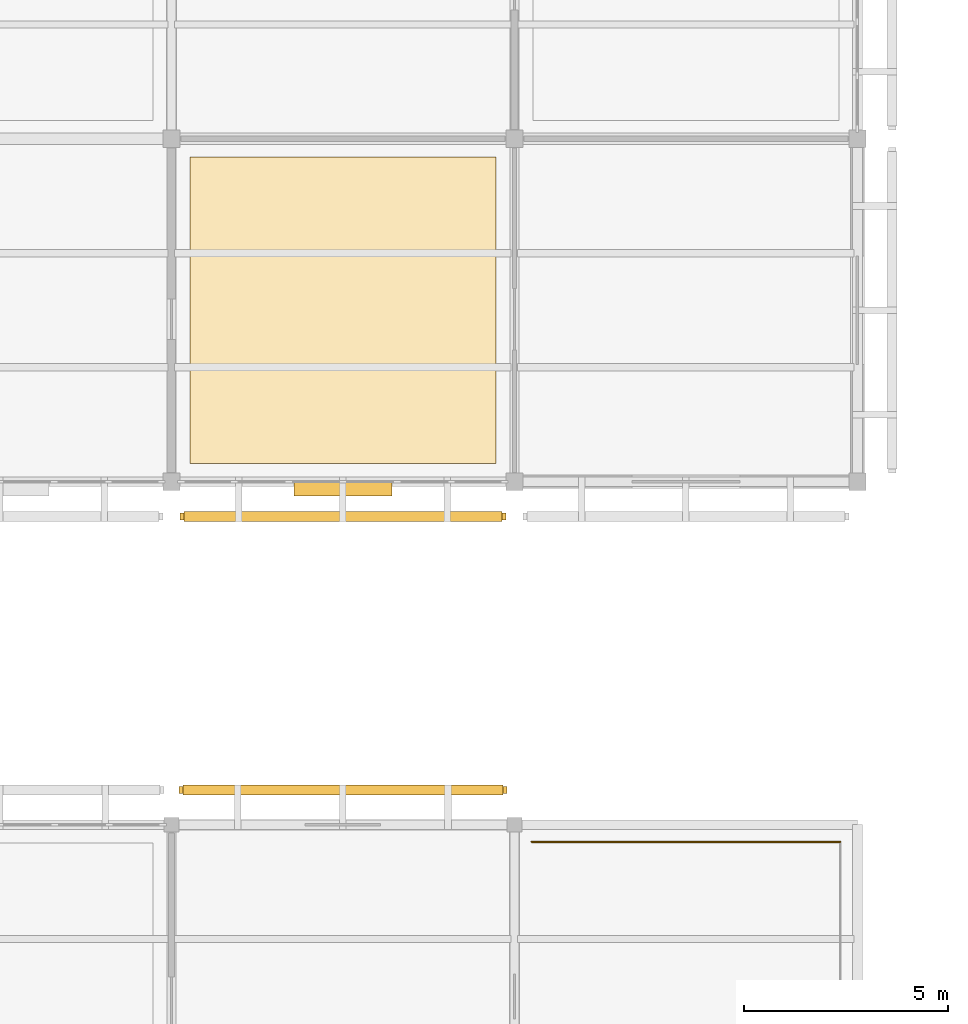
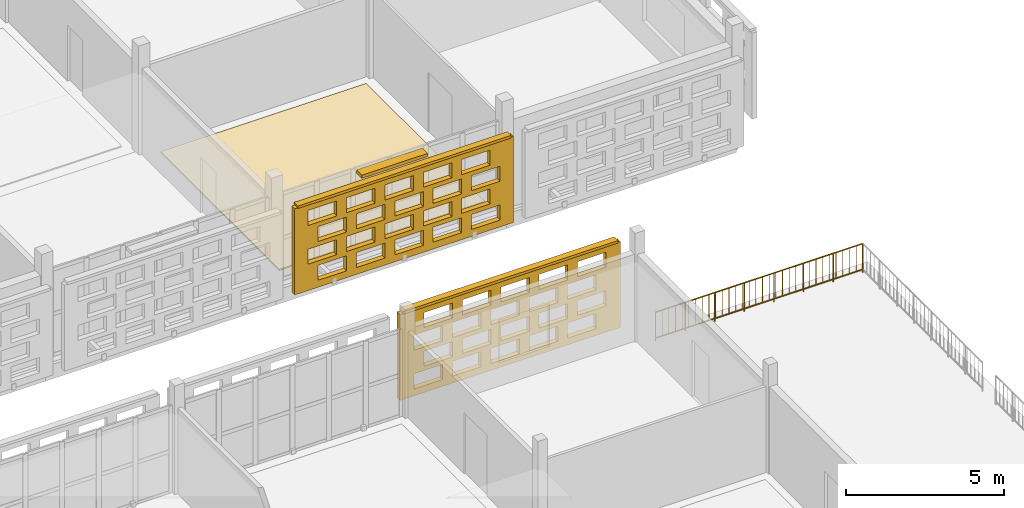
# One storey, part 158 of 166: 3 coverings, 3 shading devices, 1 railing, 40 openings.
"""IFC4 building model written with IfcOpenShell, lengths in metres."""

from ifc_helpers import new_model, si_unit, direction, frame, frame_2d, origin, origin_2d, place, context, subcontext, project, spatial, rectangle, circle, extrude, material, layer, layer_set, type_object, element, save


model = new_model("IFC4")

# Units and contexts
model_context = context("Model", 3, precision=1e-05, world=origin(), true_north=direction((0.0, 1.0)))
body_context = subcontext(model_context, "Body", "Model", "MODEL_VIEW")
ifc_project = project(units=[si_unit("LENGTHUNIT", "METRE"), si_unit("AREAUNIT", "SQUARE_METRE"), si_unit("VOLUMEUNIT", "CUBIC_METRE"), si_unit("PLANEANGLEUNIT", "RADIAN"), si_unit("MASSUNIT", "GRAM", prefix="KILO")], contexts=[model_context])

# Site, building, storey
site_placement = place(None, origin())
site = spatial("IfcSite", under=ifc_project, at=site_placement, CompositionType="ELEMENT")
building_placement = place(site_placement, origin())
building = spatial("IfcBuilding", under=site, at=building_placement, Name="Varnapada Polytechnic", CompositionType="ELEMENT")
storey_placement = place(building_placement, frame((0.0, 0.0, 9.60009765625)))
storey = spatial("IfcBuildingStorey", under=building, at=storey_placement, Name="L02", CompositionType="ELEMENT", Elevation=9.60009765625)

# Covering
ifc_material_1 = material(Name="End-Grain Timber Studio Block Flooring", Category="wood")
ifc_layer_1 = layer(ifc_material_1, 0.054931640625)
ifc_layer_set_1 = layer_set([ifc_layer_1], Name="End-Grain Timber Studio Block Flooring")
covering_type_1 = type_object("IfcCoveringType", Name="Floor Finish FLR-04", PredefinedType="FLOORING", material=ifc_layer_set_1)
covering_1_placement = place(storey_placement, frame((163.800048828125, 63.0, 0.0), z_axis=(0.0, 0.0, 1.0), x_axis=(1.0, 0.0, 0.0)))
element("IfcCovering", 1, at=covering_1_placement, inside=storey, type_object=covering_type_1, Name="L02 floor finish panel (20,8)", PredefinedType="FLOORING", context=body_context, shape_type="SweptSolid", body=[
    extrude(rectangle(XDim=7.5, YDim=7.5, at=origin_2d()), origin(), (0.0, 0.0, 1.0), 0.054931640625),
])

# Shading device
ifc_material_2 = material(Name="Anodised aluminium", Category="aluminium")
ifc_layer_2 = layer(ifc_material_2, 0.35009765625)
ifc_layer_set_2 = layer_set([ifc_layer_2], Name="Anodised aluminium")
shading_device_type_1 = type_object("IfcShadingDeviceType", Name="Solar Louvre LVR-01", PredefinedType="JALOUSIE", material=ifc_layer_set_2)
shading_device_1_placement = place(storey_placement, frame((163.800048828125, 58.6201171875, 3.159912109375), z_axis=(0.0, 0.0, 1.0), x_axis=(-1.0, 0.0, 0.0)))
element("IfcShadingDevice", 2, at=shading_device_1_placement, inside=storey, type_object=shading_device_type_1, Name="L02 aluminium sun louvre 106", PredefinedType="JALOUSIE", context=body_context, shape_type="SweptSolid", body=[
    extrude(rectangle(XDim=2.39990234375, YDim=0.340087890625, at=origin_2d()), origin(), (0.0, 0.0, 1.0), 0.1201171875),
])

# Railing
ifc_material_3 = material(Name="Painted galvanized steel", Category="steel")
railing_type = type_object("IfcRailingType", Name="Terrace Guard Rail GRD-01", PredefinedType="BALUSTRADE", material=ifc_material_3)
railing_placement = place(storey_placement, frame((168.419921875, 49.97998046875, 0.0)))
element("IfcRailing", 3, at=railing_placement, inside=storey, type_object=railing_type, Name="L02 terrace perimeter guard rail 24", PredefinedType="BALUSTRADE", context=body_context, shape_type="SweptSolid", body=[
    extrude(circle(Radius=0.02392578125, at=origin_2d()), frame((0.0, 0.0, 1.09619140625), z_axis=(1.0, 0.0, 0.0), x_axis=(0.0, 1.0, 0.0)), (0.0, 0.0, 1.0), 7.56005859375),
    extrude(circle(Radius=0.02392578125, at=origin_2d()), frame((0.0, 0.0, 0.10009765625), z_axis=(1.0, 0.0, 0.0), x_axis=(0.0, 1.0, 0.0)), (0.0, 0.0, 1.0), 7.56005859375),
    extrude(circle(Radius=0.02099609375, at=origin_2d()), origin(), (0.0, 0.0, 1.0), 1.072021484375),
    extrude(circle(Radius=0.02099609375, at=origin_2d()), frame((1.080078125, 0.0, 0.0)), (0.0, 0.0, 1.0), 1.072021484375),
    extrude(circle(Radius=0.02099609375, at=origin_2d()), frame((2.159912109375, 0.0, 0.0)), (0.0, 0.0, 1.0), 1.072021484375),
    extrude(circle(Radius=0.02099609375, at=origin_2d()), frame((3.239990234375, 0.0, 0.0)), (0.0, 0.0, 1.0), 1.072021484375),
    extrude(circle(Radius=0.02099609375, at=origin_2d()), frame((4.320068359375, 0.0, 0.0)), (0.0, 0.0, 1.0), 1.072021484375),
    extrude(circle(Radius=0.02099609375, at=origin_2d()), frame((5.400146484375, 0.0, 0.0)), (0.0, 0.0, 1.0), 1.072021484375),
    extrude(circle(Radius=0.02099609375, at=origin_2d()), frame((6.47998046875, 0.0, 0.0)), (0.0, 0.0, 1.0), 1.072021484375),
    extrude(circle(Radius=0.02099609375, at=origin_2d()), frame((7.56005859375, 0.0, 0.0)), (0.0, 0.0, 1.0), 1.072021484375),
    extrude(circle(Radius=0.010009765625, at=origin_2d()), frame((0.243896484375, 0.0, 0.10009765625)), (0.0, 0.0, 1.0), 0.971923828125),
    extrude(circle(Radius=0.010009765625, at=origin_2d()), frame((0.48779296875, 0.0, 0.10009765625)), (0.0, 0.0, 1.0), 0.971923828125),
    extrude(circle(Radius=0.010009765625, at=origin_2d()), frame((0.731689453125, 0.0, 0.10009765625)), (0.0, 0.0, 1.0), 0.971923828125),
    extrude(circle(Radius=0.010009765625, at=origin_2d()), frame((0.9755859375, 0.0, 0.10009765625)), (0.0, 0.0, 1.0), 0.971923828125),
    extrude(circle(Radius=0.010009765625, at=origin_2d()), frame((1.219482421875, 0.0, 0.10009765625)), (0.0, 0.0, 1.0), 0.971923828125),
    extrude(circle(Radius=0.010009765625, at=origin_2d()), frame((1.463134765625, 0.0, 0.10009765625)), (0.0, 0.0, 1.0), 0.971923828125),
    extrude(circle(Radius=0.010009765625, at=origin_2d()), frame((1.70703125, 0.0, 0.10009765625)), (0.0, 0.0, 1.0), 0.971923828125),
    extrude(circle(Radius=0.010009765625, at=origin_2d()), frame((1.950927734375, 0.0, 0.10009765625)), (0.0, 0.0, 1.0), 0.971923828125),
    extrude(circle(Radius=0.010009765625, at=origin_2d()), frame((2.19482421875, 0.0, 0.10009765625)), (0.0, 0.0, 1.0), 0.971923828125),
    extrude(circle(Radius=0.010009765625, at=origin_2d()), frame((2.438720703125, 0.0, 0.10009765625)), (0.0, 0.0, 1.0), 0.971923828125),
    extrude(circle(Radius=0.010009765625, at=origin_2d()), frame((2.6826171875, 0.0, 0.10009765625)), (0.0, 0.0, 1.0), 0.971923828125),
    extrude(circle(Radius=0.010009765625, at=origin_2d()), frame((2.926513671875, 0.0, 0.10009765625)), (0.0, 0.0, 1.0), 0.971923828125),
    extrude(circle(Radius=0.010009765625, at=origin_2d()), frame((3.17041015625, 0.0, 0.10009765625)), (0.0, 0.0, 1.0), 0.971923828125),
    extrude(circle(Radius=0.010009765625, at=origin_2d()), frame((3.414306640625, 0.0, 0.10009765625)), (0.0, 0.0, 1.0), 0.971923828125),
    extrude(circle(Radius=0.010009765625, at=origin_2d()), frame((3.658203125, 0.0, 0.10009765625)), (0.0, 0.0, 1.0), 0.971923828125),
    extrude(circle(Radius=0.010009765625, at=origin_2d()), frame((3.90185546875, 0.0, 0.10009765625)), (0.0, 0.0, 1.0), 0.971923828125),
    extrude(circle(Radius=0.010009765625, at=origin_2d()), frame((4.145751953125, 0.0, 0.10009765625)), (0.0, 0.0, 1.0), 0.971923828125),
    extrude(circle(Radius=0.010009765625, at=origin_2d()), frame((4.3896484375, 0.0, 0.10009765625)), (0.0, 0.0, 1.0), 0.971923828125),
    extrude(circle(Radius=0.010009765625, at=origin_2d()), frame((4.633544921875, 0.0, 0.10009765625)), (0.0, 0.0, 1.0), 0.971923828125),
    extrude(circle(Radius=0.010009765625, at=origin_2d()), frame((4.87744140625, 0.0, 0.10009765625)), (0.0, 0.0, 1.0), 0.971923828125),
    extrude(circle(Radius=0.010009765625, at=origin_2d()), frame((5.121337890625, 0.0, 0.10009765625)), (0.0, 0.0, 1.0), 0.971923828125),
    extrude(circle(Radius=0.010009765625, at=origin_2d()), frame((5.365234375, 0.0, 0.10009765625)), (0.0, 0.0, 1.0), 0.971923828125),
    extrude(circle(Radius=0.010009765625, at=origin_2d()), frame((5.609130859375, 0.0, 0.10009765625)), (0.0, 0.0, 1.0), 0.971923828125),
    extrude(circle(Radius=0.010009765625, at=origin_2d()), frame((5.85302734375, 0.0, 0.10009765625)), (0.0, 0.0, 1.0), 0.971923828125),
    extrude(circle(Radius=0.010009765625, at=origin_2d()), frame((6.096923828125, 0.0, 0.10009765625)), (0.0, 0.0, 1.0), 0.971923828125),
    extrude(circle(Radius=0.010009765625, at=origin_2d()), frame((6.340576171875, 0.0, 0.10009765625)), (0.0, 0.0, 1.0), 0.971923828125),
    extrude(circle(Radius=0.010009765625, at=origin_2d()), frame((6.58447265625, 0.0, 0.10009765625)), (0.0, 0.0, 1.0), 0.971923828125),
    extrude(circle(Radius=0.010009765625, at=origin_2d()), frame((6.828369140625, 0.0, 0.10009765625)), (0.0, 0.0, 1.0), 0.971923828125),
    extrude(circle(Radius=0.010009765625, at=origin_2d()), frame((7.072265625, 0.0, 0.10009765625)), (0.0, 0.0, 1.0), 0.971923828125),
    extrude(circle(Radius=0.010009765625, at=origin_2d()), frame((7.316162109375, 0.0, 0.10009765625)), (0.0, 0.0, 1.0), 0.971923828125),
])

# Covering, openings
ifc_material_4 = material(Name="Earth-toned architectural terracotta screen block", Category="masonry")
ifc_layer_3 = layer(ifc_material_4, 0.1201171875)
ifc_layer_set_3 = layer_set([ifc_layer_3], Name="Earth-toned architectural terracotta screen block")
covering_type_2 = type_object("IfcCoveringType", Name="Terracotta Screen Cladding CLD-01", PredefinedType="CLADDING", material=ifc_layer_set_3)
covering_2_placement = place(storey_placement, frame((159.780029296875, 51.25, 0.0), z_axis=(0.0, 0.0, 1.0), x_axis=(1.0, 0.0, 0.0)))
covering_2 = element("IfcCovering", 4, at=covering_2_placement, inside=storey, type_object=covering_type_2, Name="L02 perforated terracotta block screen (104)", PredefinedType="CLADDING", context=body_context, shape_type="SweptSolid", body=[
    extrude(rectangle(XDim=8.0400390625, YDim=0.179931640625, at=frame_2d((4.02001953125, 0.0))), origin(), (0.0, 0.0, 1.0), 3.31982421875),
])
opening_1_placement = place(covering_2_placement, frame((0.52001953125, 0.0, 0.265625)))
element("IfcOpeningElement", 5, at=opening_1_placement, cuts=covering_2, Name="Screen perforation TBS-L02-103.1", PredefinedType="OPENING", context=body_context, shape_type="SweptSolid", body=[
    extrude(rectangle(XDim=1.0400390625, YDim=0.5810546875, at=frame_2d((0.52001953125, 0.29052734375))), frame((0.0, 0.099853515625, 0.0), z_axis=(0.0, -1.0, 0.0), x_axis=(1.0, 0.0, 0.0)), (0.0, 0.0, 1.0), 0.199951171875),
])
opening_2_placement = place(covering_2_placement, frame((1.919921875, 0.0, 0.265625)))
element("IfcOpeningElement", 6, at=opening_2_placement, cuts=covering_2, Name="Screen perforation TBS-L02-103.2", PredefinedType="OPENING", context=body_context, shape_type="SweptSolid", body=[
    extrude(rectangle(XDim=1.0400390625, YDim=0.5810546875, at=frame_2d((0.52001953125, 0.29052734375))), frame((0.0, 0.099853515625, 0.0), z_axis=(0.0, -1.0, 0.0), x_axis=(1.0, 0.0, 0.0)), (0.0, 0.0, 1.0), 0.199951171875),
])
opening_3_placement = place(covering_2_placement, frame((3.320068359375, 0.0, 0.265625)))
element("IfcOpeningElement", 7, at=opening_3_placement, cuts=covering_2, Name="Screen perforation TBS-L02-103.3", PredefinedType="OPENING", context=body_context, shape_type="SweptSolid", body=[
    extrude(rectangle(XDim=1.0400390625, YDim=0.5810546875, at=frame_2d((0.52001953125, 0.29052734375))), frame((0.0, 0.099853515625, 0.0), z_axis=(0.0, -1.0, 0.0), x_axis=(1.0, 0.0, 0.0)), (0.0, 0.0, 1.0), 0.199951171875),
])
opening_4_placement = place(covering_2_placement, frame((4.719970703125, 0.0, 0.265625)))
element("IfcOpeningElement", 8, at=opening_4_placement, cuts=covering_2, Name="Screen perforation TBS-L02-103.4", PredefinedType="OPENING", context=body_context, shape_type="SweptSolid", body=[
    extrude(rectangle(XDim=1.0400390625, YDim=0.5810546875, at=frame_2d((0.52001953125, 0.29052734375))), frame((0.0, 0.099853515625, 0.0), z_axis=(0.0, -1.0, 0.0), x_axis=(1.0, 0.0, 0.0)), (0.0, 0.0, 1.0), 0.199951171875),
])
opening_5_placement = place(covering_2_placement, frame((6.1201171875, 0.0, 0.265625)))
element("IfcOpeningElement", 9, at=opening_5_placement, cuts=covering_2, Name="Screen perforation TBS-L02-103.5", PredefinedType="OPENING", context=body_context, shape_type="SweptSolid", body=[
    extrude(rectangle(XDim=1.0400390625, YDim=0.5810546875, at=frame_2d((0.52001953125, 0.29052734375))), frame((0.0, 0.099853515625, 0.0), z_axis=(0.0, -1.0, 0.0), x_axis=(1.0, 0.0, 0.0)), (0.0, 0.0, 1.0), 0.199951171875),
])
opening_6_placement = place(covering_2_placement, frame((0.8798828125, 0.0, 1.0126953125)))
element("IfcOpeningElement", 10, at=opening_6_placement, cuts=covering_2, Name="Screen perforation TBS-L02-103.6", PredefinedType="OPENING", context=body_context, shape_type="SweptSolid", body=[
    extrude(rectangle(XDim=1.0400390625, YDim=0.5810546875, at=frame_2d((0.52001953125, 0.29052734375))), frame((0.0, 0.099853515625, 0.0), z_axis=(0.0, -1.0, 0.0), x_axis=(1.0, 0.0, 0.0)), (0.0, 0.0, 1.0), 0.199951171875),
])
opening_7_placement = place(covering_2_placement, frame((2.280029296875, 0.0, 1.0126953125)))
element("IfcOpeningElement", 11, at=opening_7_placement, cuts=covering_2, Name="Screen perforation TBS-L02-103.7", PredefinedType="OPENING", context=body_context, shape_type="SweptSolid", body=[
    extrude(rectangle(XDim=1.0400390625, YDim=0.5810546875, at=frame_2d((0.52001953125, 0.29052734375))), frame((0.0, 0.099853515625, 0.0), z_axis=(0.0, -1.0, 0.0), x_axis=(1.0, 0.0, 0.0)), (0.0, 0.0, 1.0), 0.199951171875),
])
opening_8_placement = place(covering_2_placement, frame((3.679931640625, 0.0, 1.0126953125)))
element("IfcOpeningElement", 12, at=opening_8_placement, cuts=covering_2, Name="Screen perforation TBS-L02-103.8", PredefinedType="OPENING", context=body_context, shape_type="SweptSolid", body=[
    extrude(rectangle(XDim=1.0400390625, YDim=0.5810546875, at=frame_2d((0.52001953125, 0.29052734375))), frame((0.0, 0.099853515625, 0.0), z_axis=(0.0, -1.0, 0.0), x_axis=(1.0, 0.0, 0.0)), (0.0, 0.0, 1.0), 0.199951171875),
])
opening_9_placement = place(covering_2_placement, frame((5.080078125, 0.0, 1.0126953125)))
element("IfcOpeningElement", 13, at=opening_9_placement, cuts=covering_2, Name="Screen perforation TBS-L02-103.9", PredefinedType="OPENING", context=body_context, shape_type="SweptSolid", body=[
    extrude(rectangle(XDim=1.0400390625, YDim=0.5810546875, at=frame_2d((0.52001953125, 0.29052734375))), frame((0.0, 0.099853515625, 0.0), z_axis=(0.0, -1.0, 0.0), x_axis=(1.0, 0.0, 0.0)), (0.0, 0.0, 1.0), 0.199951171875),
])
opening_10_placement = place(covering_2_placement, frame((6.47998046875, 0.0, 1.0126953125)))
element("IfcOpeningElement", 14, at=opening_10_placement, cuts=covering_2, Name="Screen perforation TBS-L02-103.10", PredefinedType="OPENING", context=body_context, shape_type="SweptSolid", body=[
    extrude(rectangle(XDim=1.0400390625, YDim=0.5810546875, at=frame_2d((0.52001953125, 0.29052734375))), frame((0.0, 0.099853515625, 0.0), z_axis=(0.0, -1.0, 0.0), x_axis=(1.0, 0.0, 0.0)), (0.0, 0.0, 1.0), 0.199951171875),
])
opening_11_placement = place(covering_2_placement, frame((0.52001953125, 0.0, 1.759521484375)))
element("IfcOpeningElement", 15, at=opening_11_placement, cuts=covering_2, Name="Screen perforation TBS-L02-103.11", PredefinedType="OPENING", context=body_context, shape_type="SweptSolid", body=[
    extrude(rectangle(XDim=1.0400390625, YDim=0.5810546875, at=frame_2d((0.52001953125, 0.29052734375))), frame((0.0, 0.099853515625, 0.0), z_axis=(0.0, -1.0, 0.0), x_axis=(1.0, 0.0, 0.0)), (0.0, 0.0, 1.0), 0.199951171875),
])
opening_12_placement = place(covering_2_placement, frame((1.919921875, 0.0, 1.759521484375)))
element("IfcOpeningElement", 16, at=opening_12_placement, cuts=covering_2, Name="Screen perforation TBS-L02-103.12", PredefinedType="OPENING", context=body_context, shape_type="SweptSolid", body=[
    extrude(rectangle(XDim=1.0400390625, YDim=0.5810546875, at=frame_2d((0.52001953125, 0.29052734375))), frame((0.0, 0.099853515625, 0.0), z_axis=(0.0, -1.0, 0.0), x_axis=(1.0, 0.0, 0.0)), (0.0, 0.0, 1.0), 0.199951171875),
])
opening_13_placement = place(covering_2_placement, frame((3.320068359375, 0.0, 1.759521484375)))
element("IfcOpeningElement", 17, at=opening_13_placement, cuts=covering_2, Name="Screen perforation TBS-L02-103.13", PredefinedType="OPENING", context=body_context, shape_type="SweptSolid", body=[
    extrude(rectangle(XDim=1.0400390625, YDim=0.5810546875, at=frame_2d((0.52001953125, 0.29052734375))), frame((0.0, 0.099853515625, 0.0), z_axis=(0.0, -1.0, 0.0), x_axis=(1.0, 0.0, 0.0)), (0.0, 0.0, 1.0), 0.199951171875),
])
opening_14_placement = place(covering_2_placement, frame((4.719970703125, 0.0, 1.759521484375)))
element("IfcOpeningElement", 18, at=opening_14_placement, cuts=covering_2, Name="Screen perforation TBS-L02-103.14", PredefinedType="OPENING", context=body_context, shape_type="SweptSolid", body=[
    extrude(rectangle(XDim=1.0400390625, YDim=0.5810546875, at=frame_2d((0.52001953125, 0.29052734375))), frame((0.0, 0.099853515625, 0.0), z_axis=(0.0, -1.0, 0.0), x_axis=(1.0, 0.0, 0.0)), (0.0, 0.0, 1.0), 0.199951171875),
])
opening_15_placement = place(covering_2_placement, frame((6.1201171875, 0.0, 1.759521484375)))
element("IfcOpeningElement", 19, at=opening_15_placement, cuts=covering_2, Name="Screen perforation TBS-L02-103.15", PredefinedType="OPENING", context=body_context, shape_type="SweptSolid", body=[
    extrude(rectangle(XDim=1.0400390625, YDim=0.5810546875, at=frame_2d((0.52001953125, 0.29052734375))), frame((0.0, 0.099853515625, 0.0), z_axis=(0.0, -1.0, 0.0), x_axis=(1.0, 0.0, 0.0)), (0.0, 0.0, 1.0), 0.199951171875),
])
opening_16_placement = place(covering_2_placement, frame((0.8798828125, 0.0, 2.506591796875)))
element("IfcOpeningElement", 20, at=opening_16_placement, cuts=covering_2, Name="Screen perforation TBS-L02-103.16", PredefinedType="OPENING", context=body_context, shape_type="SweptSolid", body=[
    extrude(rectangle(XDim=1.0400390625, YDim=0.5810546875, at=frame_2d((0.52001953125, 0.29052734375))), frame((0.0, 0.099853515625, 0.0), z_axis=(0.0, -1.0, 0.0), x_axis=(1.0, 0.0, 0.0)), (0.0, 0.0, 1.0), 0.199951171875),
])
opening_17_placement = place(covering_2_placement, frame((2.280029296875, 0.0, 2.506591796875)))
element("IfcOpeningElement", 21, at=opening_17_placement, cuts=covering_2, Name="Screen perforation TBS-L02-103.17", PredefinedType="OPENING", context=body_context, shape_type="SweptSolid", body=[
    extrude(rectangle(XDim=1.0400390625, YDim=0.5810546875, at=frame_2d((0.52001953125, 0.29052734375))), frame((0.0, 0.099853515625, 0.0), z_axis=(0.0, -1.0, 0.0), x_axis=(1.0, 0.0, 0.0)), (0.0, 0.0, 1.0), 0.199951171875),
])
opening_18_placement = place(covering_2_placement, frame((3.679931640625, 0.0, 2.506591796875)))
element("IfcOpeningElement", 22, at=opening_18_placement, cuts=covering_2, Name="Screen perforation TBS-L02-103.18", PredefinedType="OPENING", context=body_context, shape_type="SweptSolid", body=[
    extrude(rectangle(XDim=1.0400390625, YDim=0.5810546875, at=frame_2d((0.52001953125, 0.29052734375))), frame((0.0, 0.099853515625, 0.0), z_axis=(0.0, -1.0, 0.0), x_axis=(1.0, 0.0, 0.0)), (0.0, 0.0, 1.0), 0.199951171875),
])
opening_19_placement = place(covering_2_placement, frame((5.080078125, 0.0, 2.506591796875)))
element("IfcOpeningElement", 23, at=opening_19_placement, cuts=covering_2, Name="Screen perforation TBS-L02-103.19", PredefinedType="OPENING", context=body_context, shape_type="SweptSolid", body=[
    extrude(rectangle(XDim=1.0400390625, YDim=0.5810546875, at=frame_2d((0.52001953125, 0.29052734375))), frame((0.0, 0.099853515625, 0.0), z_axis=(0.0, -1.0, 0.0), x_axis=(1.0, 0.0, 0.0)), (0.0, 0.0, 1.0), 0.199951171875),
])
opening_20_placement = place(covering_2_placement, frame((6.47998046875, 0.0, 2.506591796875)))
element("IfcOpeningElement", 24, at=opening_20_placement, cuts=covering_2, Name="Screen perforation TBS-L02-103.20", PredefinedType="OPENING", context=body_context, shape_type="SweptSolid", body=[
    extrude(rectangle(XDim=1.0400390625, YDim=0.5810546875, at=frame_2d((0.52001953125, 0.29052734375))), frame((0.0, 0.099853515625, 0.0), z_axis=(0.0, -1.0, 0.0), x_axis=(1.0, 0.0, 0.0)), (0.0, 0.0, 1.0), 0.199951171875),
])

covering_3_placement = place(storey_placement, frame((167.7900390625, 57.949951171875, 0.0), z_axis=(0.0, 0.0, 1.0), x_axis=(-1.0, 0.0, 0.0)))
covering_3 = element("IfcCovering", 25, at=covering_3_placement, inside=storey, type_object=covering_type_2, Name="L02 perforated terracotta block screen (106)", PredefinedType="CLADDING", context=body_context, shape_type="SweptSolid", body=[
    extrude(rectangle(XDim=7.97998046875, YDim=0.179931640625, at=frame_2d((3.989990234375, 0.0))), origin(), (0.0, 0.0, 1.0), 3.31982421875),
])
opening_21_placement = place(covering_3_placement, frame((0.489990234375, 0.0, 0.265625)))
element("IfcOpeningElement", 26, at=opening_21_placement, cuts=covering_3, Name="Screen perforation TBS-L02-105.1", PredefinedType="OPENING", context=body_context, shape_type="SweptSolid", body=[
    extrude(rectangle(XDim=1.0400390625, YDim=0.5810546875, at=frame_2d((0.52001953125, 0.29052734375))), frame((0.0, 0.099853515625, 0.0), z_axis=(0.0, -1.0, 0.0), x_axis=(1.0, 0.0, 0.0)), (0.0, 0.0, 1.0), 0.199951171875),
])
opening_22_placement = place(covering_3_placement, frame((1.889892578125, 0.0, 0.265625)))
element("IfcOpeningElement", 27, at=opening_22_placement, cuts=covering_3, Name="Screen perforation TBS-L02-105.2", PredefinedType="OPENING", context=body_context, shape_type="SweptSolid", body=[
    extrude(rectangle(XDim=1.0400390625, YDim=0.5810546875, at=frame_2d((0.52001953125, 0.29052734375))), frame((0.0, 0.099853515625, 0.0), z_axis=(0.0, -1.0, 0.0), x_axis=(1.0, 0.0, 0.0)), (0.0, 0.0, 1.0), 0.199951171875),
])
opening_23_placement = place(covering_3_placement, frame((3.2900390625, 0.0, 0.265625)))
element("IfcOpeningElement", 28, at=opening_23_placement, cuts=covering_3, Name="Screen perforation TBS-L02-105.3", PredefinedType="OPENING", context=body_context, shape_type="SweptSolid", body=[
    extrude(rectangle(XDim=1.0400390625, YDim=0.5810546875, at=frame_2d((0.52001953125, 0.29052734375))), frame((0.0, 0.099853515625, 0.0), z_axis=(0.0, -1.0, 0.0), x_axis=(1.0, 0.0, 0.0)), (0.0, 0.0, 1.0), 0.199951171875),
])
opening_24_placement = place(covering_3_placement, frame((4.68994140625, 0.0, 0.265625)))
element("IfcOpeningElement", 29, at=opening_24_placement, cuts=covering_3, Name="Screen perforation TBS-L02-105.4", PredefinedType="OPENING", context=body_context, shape_type="SweptSolid", body=[
    extrude(rectangle(XDim=1.0400390625, YDim=0.5810546875, at=frame_2d((0.52001953125, 0.29052734375))), frame((0.0, 0.099853515625, 0.0), z_axis=(0.0, -1.0, 0.0), x_axis=(1.0, 0.0, 0.0)), (0.0, 0.0, 1.0), 0.199951171875),
])
opening_25_placement = place(covering_3_placement, frame((6.090087890625, 0.0, 0.265625)))
element("IfcOpeningElement", 30, at=opening_25_placement, cuts=covering_3, Name="Screen perforation TBS-L02-105.5", PredefinedType="OPENING", context=body_context, shape_type="SweptSolid", body=[
    extrude(rectangle(XDim=1.0400390625, YDim=0.5810546875, at=frame_2d((0.52001953125, 0.29052734375))), frame((0.0, 0.099853515625, 0.0), z_axis=(0.0, -1.0, 0.0), x_axis=(1.0, 0.0, 0.0)), (0.0, 0.0, 1.0), 0.199951171875),
])
opening_26_placement = place(covering_3_placement, frame((0.85009765625, 0.0, 1.0126953125)))
element("IfcOpeningElement", 31, at=opening_26_placement, cuts=covering_3, Name="Screen perforation TBS-L02-105.6", PredefinedType="OPENING", context=body_context, shape_type="SweptSolid", body=[
    extrude(rectangle(XDim=1.0400390625, YDim=0.5810546875, at=frame_2d((0.52001953125, 0.29052734375))), frame((0.0, 0.099853515625, 0.0), z_axis=(0.0, -1.0, 0.0), x_axis=(1.0, 0.0, 0.0)), (0.0, 0.0, 1.0), 0.199951171875),
])
opening_27_placement = place(covering_3_placement, frame((2.25, 0.0, 1.0126953125)))
element("IfcOpeningElement", 32, at=opening_27_placement, cuts=covering_3, Name="Screen perforation TBS-L02-105.7", PredefinedType="OPENING", context=body_context, shape_type="SweptSolid", body=[
    extrude(rectangle(XDim=1.0400390625, YDim=0.5810546875, at=frame_2d((0.52001953125, 0.29052734375))), frame((0.0, 0.099853515625, 0.0), z_axis=(0.0, -1.0, 0.0), x_axis=(1.0, 0.0, 0.0)), (0.0, 0.0, 1.0), 0.199951171875),
])
opening_28_placement = place(covering_3_placement, frame((3.64990234375, 0.0, 1.0126953125)))
element("IfcOpeningElement", 33, at=opening_28_placement, cuts=covering_3, Name="Screen perforation TBS-L02-105.8", PredefinedType="OPENING", context=body_context, shape_type="SweptSolid", body=[
    extrude(rectangle(XDim=1.0400390625, YDim=0.5810546875, at=frame_2d((0.52001953125, 0.29052734375))), frame((0.0, 0.099853515625, 0.0), z_axis=(0.0, -1.0, 0.0), x_axis=(1.0, 0.0, 0.0)), (0.0, 0.0, 1.0), 0.199951171875),
])
opening_29_placement = place(covering_3_placement, frame((5.050048828125, 0.0, 1.0126953125)))
element("IfcOpeningElement", 34, at=opening_29_placement, cuts=covering_3, Name="Screen perforation TBS-L02-105.9", PredefinedType="OPENING", context=body_context, shape_type="SweptSolid", body=[
    extrude(rectangle(XDim=1.0400390625, YDim=0.5810546875, at=frame_2d((0.52001953125, 0.29052734375))), frame((0.0, 0.099853515625, 0.0), z_axis=(0.0, -1.0, 0.0), x_axis=(1.0, 0.0, 0.0)), (0.0, 0.0, 1.0), 0.199951171875),
])
opening_30_placement = place(covering_3_placement, frame((6.449951171875, 0.0, 1.0126953125)))
element("IfcOpeningElement", 35, at=opening_30_placement, cuts=covering_3, Name="Screen perforation TBS-L02-105.10", PredefinedType="OPENING", context=body_context, shape_type="SweptSolid", body=[
    extrude(rectangle(XDim=1.0400390625, YDim=0.5810546875, at=frame_2d((0.52001953125, 0.29052734375))), frame((0.0, 0.099853515625, 0.0), z_axis=(0.0, -1.0, 0.0), x_axis=(1.0, 0.0, 0.0)), (0.0, 0.0, 1.0), 0.199951171875),
])
opening_31_placement = place(covering_3_placement, frame((0.489990234375, 0.0, 1.759521484375)))
element("IfcOpeningElement", 36, at=opening_31_placement, cuts=covering_3, Name="Screen perforation TBS-L02-105.11", PredefinedType="OPENING", context=body_context, shape_type="SweptSolid", body=[
    extrude(rectangle(XDim=1.0400390625, YDim=0.5810546875, at=frame_2d((0.52001953125, 0.29052734375))), frame((0.0, 0.099853515625, 0.0), z_axis=(0.0, -1.0, 0.0), x_axis=(1.0, 0.0, 0.0)), (0.0, 0.0, 1.0), 0.199951171875),
])
opening_32_placement = place(covering_3_placement, frame((1.889892578125, 0.0, 1.759521484375)))
element("IfcOpeningElement", 37, at=opening_32_placement, cuts=covering_3, Name="Screen perforation TBS-L02-105.12", PredefinedType="OPENING", context=body_context, shape_type="SweptSolid", body=[
    extrude(rectangle(XDim=1.0400390625, YDim=0.5810546875, at=frame_2d((0.52001953125, 0.29052734375))), frame((0.0, 0.099853515625, 0.0), z_axis=(0.0, -1.0, 0.0), x_axis=(1.0, 0.0, 0.0)), (0.0, 0.0, 1.0), 0.199951171875),
])
opening_33_placement = place(covering_3_placement, frame((3.2900390625, 0.0, 1.759521484375)))
element("IfcOpeningElement", 38, at=opening_33_placement, cuts=covering_3, Name="Screen perforation TBS-L02-105.13", PredefinedType="OPENING", context=body_context, shape_type="SweptSolid", body=[
    extrude(rectangle(XDim=1.0400390625, YDim=0.5810546875, at=frame_2d((0.52001953125, 0.29052734375))), frame((0.0, 0.099853515625, 0.0), z_axis=(0.0, -1.0, 0.0), x_axis=(1.0, 0.0, 0.0)), (0.0, 0.0, 1.0), 0.199951171875),
])
opening_34_placement = place(covering_3_placement, frame((4.68994140625, 0.0, 1.759521484375)))
element("IfcOpeningElement", 39, at=opening_34_placement, cuts=covering_3, Name="Screen perforation TBS-L02-105.14", PredefinedType="OPENING", context=body_context, shape_type="SweptSolid", body=[
    extrude(rectangle(XDim=1.0400390625, YDim=0.5810546875, at=frame_2d((0.52001953125, 0.29052734375))), frame((0.0, 0.099853515625, 0.0), z_axis=(0.0, -1.0, 0.0), x_axis=(1.0, 0.0, 0.0)), (0.0, 0.0, 1.0), 0.199951171875),
])
opening_35_placement = place(covering_3_placement, frame((6.090087890625, 0.0, 1.759521484375)))
element("IfcOpeningElement", 40, at=opening_35_placement, cuts=covering_3, Name="Screen perforation TBS-L02-105.15", PredefinedType="OPENING", context=body_context, shape_type="SweptSolid", body=[
    extrude(rectangle(XDim=1.0400390625, YDim=0.5810546875, at=frame_2d((0.52001953125, 0.29052734375))), frame((0.0, 0.099853515625, 0.0), z_axis=(0.0, -1.0, 0.0), x_axis=(1.0, 0.0, 0.0)), (0.0, 0.0, 1.0), 0.199951171875),
])
opening_36_placement = place(covering_3_placement, frame((0.85009765625, 0.0, 2.506591796875)))
element("IfcOpeningElement", 41, at=opening_36_placement, cuts=covering_3, Name="Screen perforation TBS-L02-105.16", PredefinedType="OPENING", context=body_context, shape_type="SweptSolid", body=[
    extrude(rectangle(XDim=1.0400390625, YDim=0.5810546875, at=frame_2d((0.52001953125, 0.29052734375))), frame((0.0, 0.099853515625, 0.0), z_axis=(0.0, -1.0, 0.0), x_axis=(1.0, 0.0, 0.0)), (0.0, 0.0, 1.0), 0.199951171875),
])
opening_37_placement = place(covering_3_placement, frame((2.25, 0.0, 2.506591796875)))
element("IfcOpeningElement", 42, at=opening_37_placement, cuts=covering_3, Name="Screen perforation TBS-L02-105.17", PredefinedType="OPENING", context=body_context, shape_type="SweptSolid", body=[
    extrude(rectangle(XDim=1.0400390625, YDim=0.5810546875, at=frame_2d((0.52001953125, 0.29052734375))), frame((0.0, 0.099853515625, 0.0), z_axis=(0.0, -1.0, 0.0), x_axis=(1.0, 0.0, 0.0)), (0.0, 0.0, 1.0), 0.199951171875),
])
opening_38_placement = place(covering_3_placement, frame((3.64990234375, 0.0, 2.506591796875)))
element("IfcOpeningElement", 43, at=opening_38_placement, cuts=covering_3, Name="Screen perforation TBS-L02-105.18", PredefinedType="OPENING", context=body_context, shape_type="SweptSolid", body=[
    extrude(rectangle(XDim=1.0400390625, YDim=0.5810546875, at=frame_2d((0.52001953125, 0.29052734375))), frame((0.0, 0.099853515625, 0.0), z_axis=(0.0, -1.0, 0.0), x_axis=(1.0, 0.0, 0.0)), (0.0, 0.0, 1.0), 0.199951171875),
])
opening_39_placement = place(covering_3_placement, frame((5.050048828125, 0.0, 2.506591796875)))
element("IfcOpeningElement", 44, at=opening_39_placement, cuts=covering_3, Name="Screen perforation TBS-L02-105.19", PredefinedType="OPENING", context=body_context, shape_type="SweptSolid", body=[
    extrude(rectangle(XDim=1.0400390625, YDim=0.5810546875, at=frame_2d((0.52001953125, 0.29052734375))), frame((0.0, 0.099853515625, 0.0), z_axis=(0.0, -1.0, 0.0), x_axis=(1.0, 0.0, 0.0)), (0.0, 0.0, 1.0), 0.199951171875),
])
opening_40_placement = place(covering_3_placement, frame((6.449951171875, 0.0, 2.506591796875)))
element("IfcOpeningElement", 45, at=opening_40_placement, cuts=covering_3, Name="Screen perforation TBS-L02-105.20", PredefinedType="OPENING", context=body_context, shape_type="SweptSolid", body=[
    extrude(rectangle(XDim=1.0400390625, YDim=0.5810546875, at=frame_2d((0.52001953125, 0.29052734375))), frame((0.0, 0.099853515625, 0.0), z_axis=(0.0, -1.0, 0.0), x_axis=(1.0, 0.0, 0.0)), (0.0, 0.0, 1.0), 0.199951171875),
])

# Shading devices
ifc_layer_4 = layer(ifc_material_4, 0.179931640625)
ifc_layer_set_4 = layer_set([ifc_layer_4], Name="Earth-toned architectural terracotta screen block")
shading_device_type_2 = type_object("IfcShadingDeviceType", Name="Terracotta Screen SCR-01", PredefinedType="USERDEFINED", material=ifc_layer_set_4)
shading_device_2_placement = place(storey_placement, frame((163.800048828125, 51.25, 3.309814453125), z_axis=(0.0, 0.0, 1.0), x_axis=(1.0, 0.0, 0.0)))
element("IfcShadingDevice", 46, at=shading_device_2_placement, inside=storey, type_object=shading_device_type_2, Name="L02 perforated terracotta screen hood 324", ObjectType="SCREEN", PredefinedType="USERDEFINED", context=body_context, shape_type="SweptSolid", body=[
    extrude(rectangle(XDim=7.840087890625, YDim=0.239990234375, at=origin_2d()), origin(), (0.0, 0.0, 1.0), 0.10009765625),
])
shading_device_3_placement = place(storey_placement, frame((163.800048828125, 57.949951171875, 3.309814453125), z_axis=(0.0, 0.0, 1.0), x_axis=(-1.0, 0.0, 0.0)))
element("IfcShadingDevice", 47, at=shading_device_3_placement, inside=storey, type_object=shading_device_type_2, Name="L02 perforated terracotta screen hood 325", ObjectType="SCREEN", PredefinedType="USERDEFINED", context=body_context, shape_type="SweptSolid", body=[
    extrude(rectangle(XDim=7.780029296875, YDim=0.239990234375, at=origin_2d()), origin(), (0.0, 0.0, 1.0), 0.10009765625),
])

save(model, "model.ifc")
